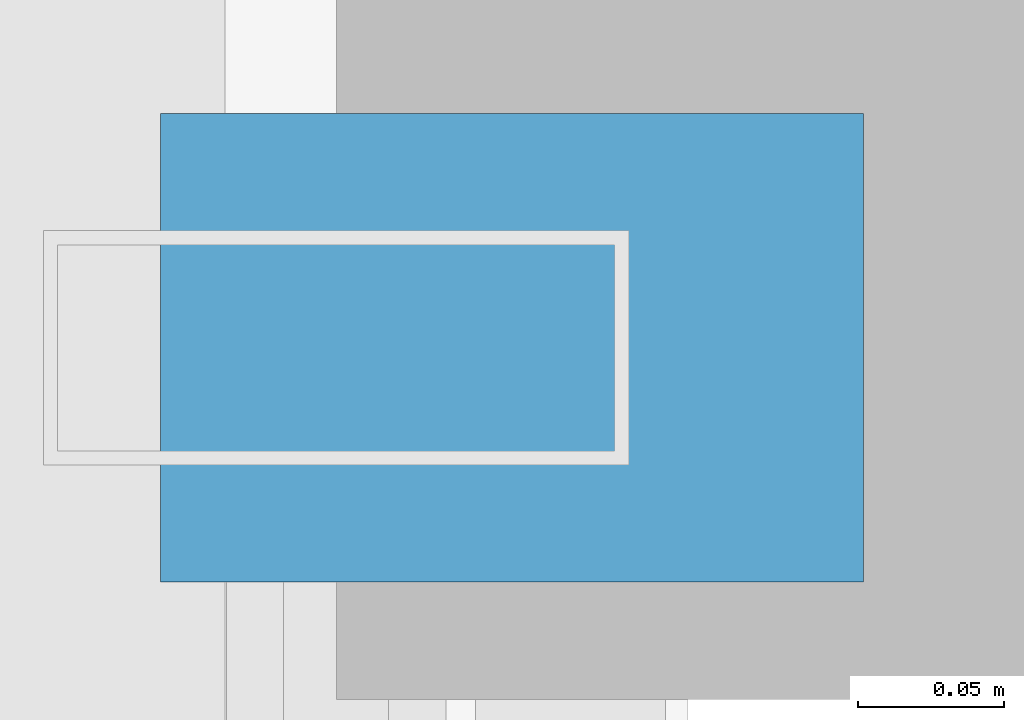
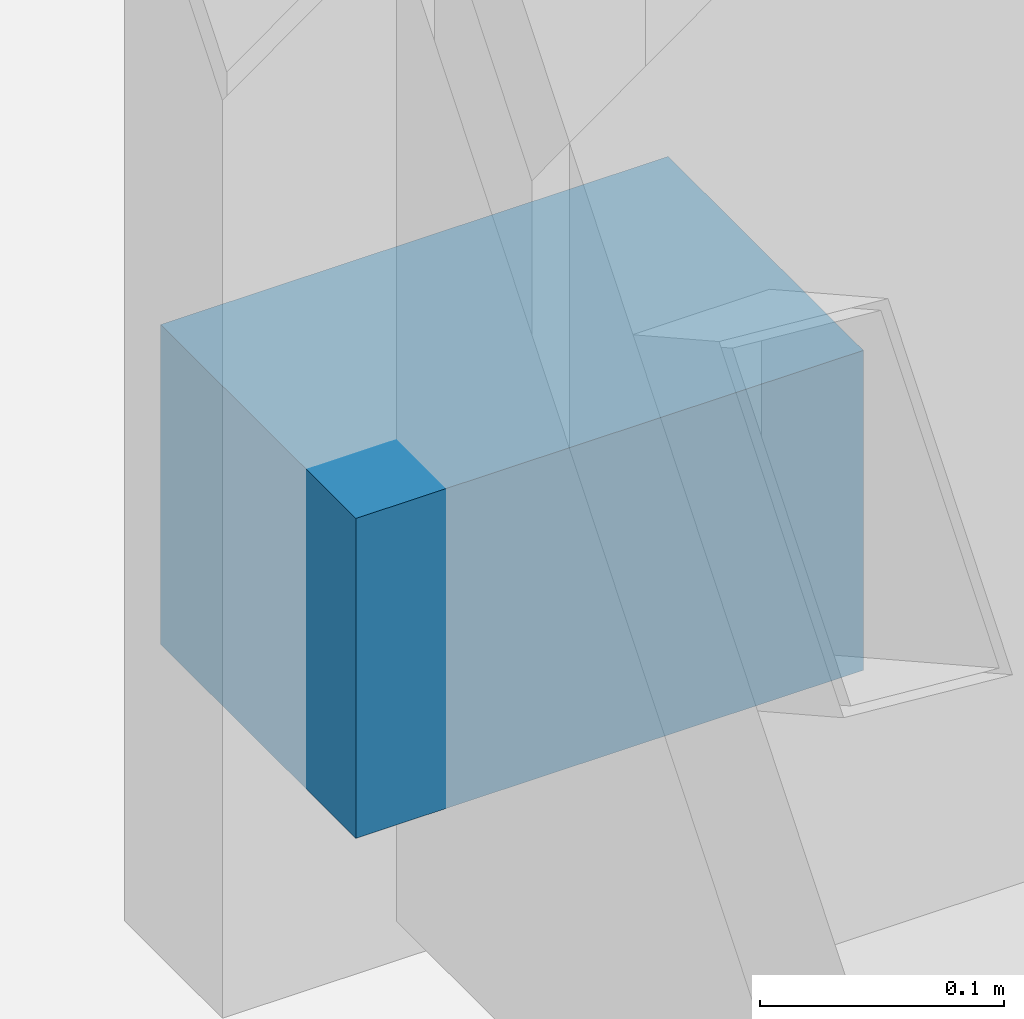
# One storey, part 35 of 38: 1 discrete accessory.
"""IFC4 building model written with IfcOpenShell, lengths in metres."""

import ifcopenshell
import ifcopenshell.guid

model = None  # the IFC model being written
_history = None  # IfcOwnerHistory: only IFC2X3 demands one
_inside = {}  # id of a spatial element -> (the spatial element, [elements in it])
_under = {}  # id of a project, library or spatial element -> (it, [spatial elements below it])
_declared = {}  # id of a project -> (the project, [libraries it declares])
_typed = {}  # id of a type object -> (the type object, [elements of that type])
_made_of = {}  # id of a material, layer set ... -> (it, [elements and type objects made of it])


def new_model(schema):
    """Start an empty IFC model of exactly this schema.

    Asked for "IFC4X3", IfcOpenShell would pick the latest addendum, in which some entities
    have other attributes; the version numbers below select the first issue.
    IFC2X3 requires an IfcOwnerHistory on every rooted entity: one is made here for all.
    """
    global model, _history
    if schema == "IFC4X3":
        model = ifcopenshell.file(schema_version=(4, 3, 0, 0))
    else:
        model = ifcopenshell.file(schema=schema)
    _inside.clear()
    _under.clear()
    _declared.clear()
    _typed.clear()
    _made_of.clear()
    _history = None
    if model.schema == "IFC2X3":
        org = make("IfcOrganization", Name="unknown")
        user = make(
            "IfcPersonAndOrganization",
            ThePerson=make("IfcPerson", FamilyName="unknown"),
            TheOrganization=org,
        )
        app = make(
            "IfcApplication",
            ApplicationDeveloper=org,
            Version="unknown",
            ApplicationFullName="unknown",
            ApplicationIdentifier="unknown",
        )
        _history = make(
            "IfcOwnerHistory",
            OwningUser=user,
            OwningApplication=app,
            ChangeAction="ADDED",
            CreationDate=0,
        )
    return model


def make(cls, **values):
    """One entity of the class cls with the attributes given. An attribute that is None is left unset."""
    return model.create_entity(
        cls, **{name: value for name, value in values.items() if value is not None}
    )


def rooted(cls, **values):
    """An entity with a GlobalId (a new one), such as an element, a storey or a relation."""
    return make(cls, GlobalId=ifcopenshell.guid.new(), OwnerHistory=_history, **values)


def si_unit(unit_type, name, prefix=None):
    """IfcSIUnit, for example si_unit("LENGTHUNIT", "METRE", prefix="MILLI")."""
    return make("IfcSIUnit", UnitType=unit_type, Prefix=prefix, Name=name)


def assignment(units):
    """IfcUnitAssignment: the units of a project."""
    return None if units is None else make("IfcUnitAssignment", Units=units)


def point(xyz):
    """IfcCartesianPoint."""
    return None if xyz is None else make("IfcCartesianPoint", Coordinates=xyz)


def direction(xyz):
    """IfcDirection."""
    return None if xyz is None else make("IfcDirection", DirectionRatios=xyz)


def frame(location, z_axis=None, x_axis=None):
    """IfcAxis2Placement3D, a coordinate frame: its origin and axes. An axis left out is left unset."""
    return make(
        "IfcAxis2Placement3D",
        Location=point(location),
        Axis=direction(z_axis),
        RefDirection=direction(x_axis),
    )


def frame_2d(location, x_axis=None):
    """IfcAxis2Placement2D, a coordinate frame in the plane: its origin and x axis."""
    return make(
        "IfcAxis2Placement2D", Location=point(location), RefDirection=direction(x_axis)
    )


def origin():
    """The frame at (0, 0, 0) with its axes left unset."""
    return frame((0.0, 0.0, 0.0))


def origin_2d():
    """The frame at (0, 0) in the plane with its x axis left unset."""
    return frame_2d((0.0, 0.0))


def place(relative_to, where):
    """IfcLocalPlacement: puts the frame where relative to a parent placement (None: the world)."""
    return make(
        "IfcLocalPlacement", PlacementRelTo=relative_to, RelativePlacement=where
    )


def context(
    kind, dimensions, precision=None, world=None, true_north=None, identifier=None
):
    """IfcGeometricRepresentationContext, for example the 3D "Model" context."""
    return make(
        "IfcGeometricRepresentationContext",
        ContextIdentifier=identifier,
        ContextType=kind,
        CoordinateSpaceDimension=dimensions,
        Precision=precision,
        WorldCoordinateSystem=world,
        TrueNorth=true_north,
    )


def subcontext(parent, identifier, kind, view, scale=None):
    """IfcGeometricRepresentationSubContext, for example "Body" below "Model"."""
    return make(
        "IfcGeometricRepresentationSubContext",
        ContextIdentifier=identifier,
        ContextType=kind,
        ParentContext=parent,
        TargetScale=scale,
        TargetView=view,
    )


def project(units=None, contexts=None):
    """IfcProject with its units and contexts."""
    return rooted(
        "IfcProject",
        Name="project",
        RepresentationContexts=contexts,
        UnitsInContext=assignment(units),
    )


def spatial(cls, under=None, at=None, **own):
    """A site, building, storey or space (cls), placed at a placement, below another one or the project."""
    s = rooted(cls, ObjectPlacement=at, **own)
    if under is not None:
        _under.setdefault(under.id(), (under, []))[1].append(s)
    return s


def profile(cls, at=None, kind="AREA", **sizes):
    """A parametric profile (cls). Its sizes go by their IFC names, for example OverallWidth=200.0."""
    return make(cls, ProfileType=kind, Position=at, **sizes)


def rectangle(**sizes):
    """IfcRectangleProfileDef."""
    return profile("IfcRectangleProfileDef", **sizes)


def extrude(swept, where, along, depth):
    """IfcExtrudedAreaSolid: the profile swept, set in the frame where, extruded along a direction by depth."""
    return make(
        "IfcExtrudedAreaSolid",
        SweptArea=swept,
        Position=where,
        ExtrudedDirection=direction(along),
        Depth=depth,
    )


def shape(context_of_items, identifier, shape_type, items):
    """IfcShapeRepresentation: the items that make up one representation, for example the "Body"."""
    return make(
        "IfcShapeRepresentation",
        ContextOfItems=context_of_items,
        RepresentationIdentifier=identifier,
        RepresentationType=shape_type,
        Items=items,
    )


def material(Name=None, Category=None):
    """IfcMaterial."""
    return make("IfcMaterial", Name=Name, Category=Category)


def made_of(thing, what):
    """Note that an element or type object is made of a material, layer set ...; save() writes the relation."""
    if what is not None:
        _made_of.setdefault(what.id(), (what, []))[1].append(thing)
    return thing


def type_object(cls, material=None, **own):
    """A type object (cls), such as IfcWallType, which elements share."""
    return made_of(rooted(cls, **own), material)


def element(
    cls,
    number,
    at=None,
    inside=None,
    cuts=None,
    type_object=None,
    material=None,
    context=None,
    identifier="Body",
    shape_type=None,
    held_by="IfcProductDefinitionShape",
    body=None,
    shapes=None,
    **own,
):
    """One element of the class cls, such as IfcWall. Its Tag is "e" and its number.

    at: its placement. inside: the storey or other place that contains it. cuts: it is an
    opening in that element (IfcRelVoidsElement). A single representation is given by context,
    identifier, shape_type and body (its items); several are given by shapes. held_by: the class
    of the entity that holds the representations. save() writes the other relations.
    """
    e = rooted(cls, Tag="e%d" % number, ObjectPlacement=at, **own)
    if body is not None:
        shapes = [shape(context, identifier, shape_type, body)]
    if shapes is not None:
        e.Representation = make(held_by, Representations=shapes)
    if inside is not None:
        _inside.setdefault(inside.id(), (inside, []))[1].append(e)
    if cuts is not None:
        rooted(
            "IfcRelVoidsElement", RelatingBuildingElement=cuts, RelatedOpeningElement=e
        )
    if type_object is not None:
        _typed.setdefault(type_object.id(), (type_object, []))[1].append(e)
    return made_of(e, material)


def aggregate(whole, parts):
    """IfcRelAggregates: a whole, such as a stair, and the parts it consists of."""
    return rooted("IfcRelAggregates", RelatingObject=whole, RelatedObjects=parts)


def save(model, path):
    """Write the relations noted so far, then the file.

    IfcRelAggregates (storeys below a building ...), IfcRelContainedInSpatialStructure (elements
    in a storey), IfcRelDefinesByType, IfcRelAssociatesMaterial and IfcRelDeclares: one each for
    every whole, place, type object, material and project.
    """
    for whole, parts in _under.values():
        aggregate(whole, parts)
    for where, things in _inside.values():
        rooted(
            "IfcRelContainedInSpatialStructure",
            RelatedElements=things,
            RelatingStructure=where,
        )
    for kind, things in _typed.values():
        rooted("IfcRelDefinesByType", RelatedObjects=things, RelatingType=kind)
    for what, things in _made_of.values():
        rooted("IfcRelAssociatesMaterial", RelatedObjects=things, RelatingMaterial=what)
    for by, libraries in _declared.values():
        rooted("IfcRelDeclares", RelatingContext=by, RelatedDefinitions=libraries)
    model.write(path)


model = new_model("IFC4")

# Units and contexts
model_context = context("Model", 3, precision=1e-05, world=origin(), true_north=direction((0.0, 1.0)))
body_context = subcontext(model_context, "Body", "Model", "MODEL_VIEW")
ifc_project = project(units=[si_unit("LENGTHUNIT", "METRE"), si_unit("AREAUNIT", "SQUARE_METRE"), si_unit("VOLUMEUNIT", "CUBIC_METRE"), si_unit("PLANEANGLEUNIT", "RADIAN"), si_unit("MASSUNIT", "GRAM", prefix="KILO")], contexts=[model_context])

# Site, building, storey
site_placement = place(None, origin())
site = spatial("IfcSite", under=ifc_project, at=site_placement, CompositionType="ELEMENT")
building_placement = place(site_placement, origin())
building = spatial("IfcBuilding", under=site, at=building_placement, Name="Drelvath Grand Hotel", CompositionType="ELEMENT")
storey_placement = place(building_placement, frame((0.0, 0.0, 57.699951171875)))
storey = spatial("IfcBuildingStorey", under=building, at=storey_placement, Name="L13", CompositionType="ELEMENT", Elevation=57.699951171875)

# Discrete accessory
ifc_material = material(Name="Stainless Steel Grade 316", Category="steel")
discrete_accessory_type = type_object("IfcDiscreteAccessoryType", Name="Curtain Wall Fin Mounting Bracket Cleat", PredefinedType="BRACKET", material=ifc_material)
discrete_accessory_placement = place(storey_placement, frame((26.260009765625, 32.39990234375, 0.10009765625), z_axis=(0.0, 0.0, 1.0), x_axis=(0.0, -1.0, 0.0)))
element("IfcDiscreteAccessory", 1, at=discrete_accessory_placement, inside=storey, type_object=discrete_accessory_type, Name="L13 Fin Mounting Bracket CW02-L13-EM2-1", PredefinedType="BRACKET", context=body_context, shape_type="SweptSolid", body=[
    extrude(rectangle(XDim=0.159912109375, YDim=0.239990234375, at=origin_2d()), origin(), (0.0, 0.0, 1.0), 0.159912109375),
])

save(model, "model.ifc")
